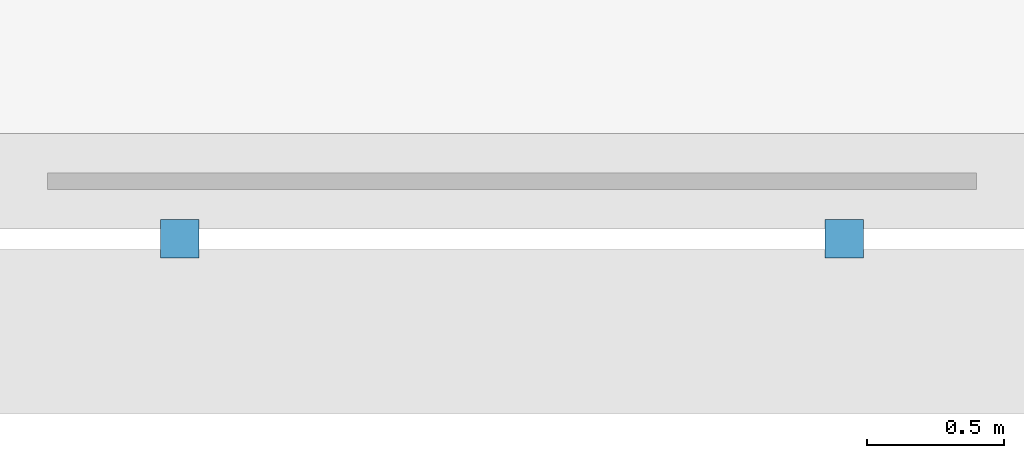
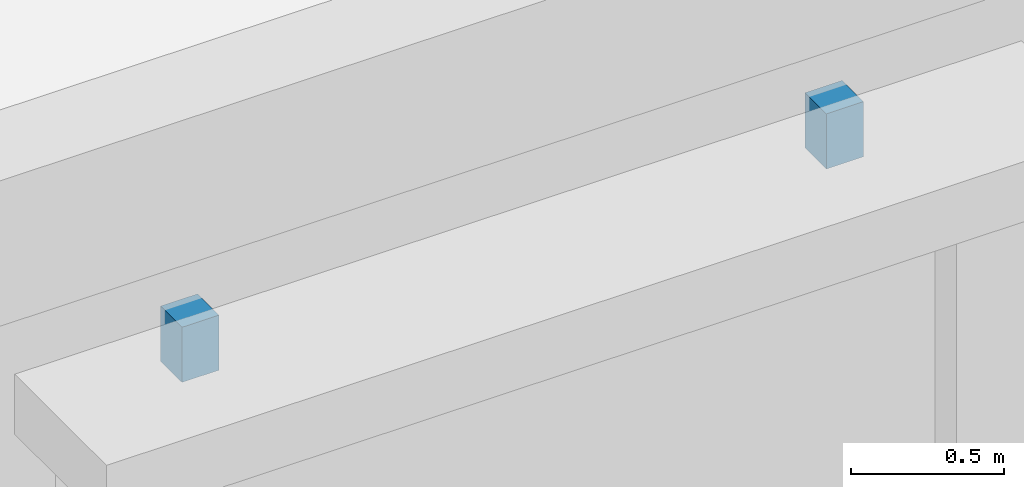
# One storey, part 22 of 25: 2 discrete accessories.
"""IFC4 building model written with IfcOpenShell, lengths in metres."""

from ifc_helpers import new_model, si_unit, direction, frame, origin, origin_2d, place, context, subcontext, project, spatial, rectangle, extrude, material, type_object, element, save


model = new_model("IFC4")

# Units and contexts
model_context = context("Model", 3, precision=1e-05, world=origin(), true_north=direction((0.0, 1.0)))
body_context = subcontext(model_context, "Body", "Model", "MODEL_VIEW")
ifc_project = project(units=[si_unit("LENGTHUNIT", "METRE"), si_unit("AREAUNIT", "SQUARE_METRE"), si_unit("VOLUMEUNIT", "CUBIC_METRE"), si_unit("PLANEANGLEUNIT", "RADIAN"), si_unit("MASSUNIT", "GRAM", prefix="KILO")], contexts=[model_context])

# Site, building, storey
site_placement = place(None, origin())
site = spatial("IfcSite", under=ifc_project, at=site_placement, CompositionType="ELEMENT")
building_placement = place(site_placement, origin())
building = spatial("IfcBuilding", under=site, at=building_placement, Name="Cendaluz Park School", CompositionType="ELEMENT")
storey_placement = place(building_placement, frame((0.0, 0.0, 18.60009765625)))
storey = spatial("IfcBuildingStorey", under=building, at=storey_placement, Name="L04", CompositionType="ELEMENT", Elevation=18.60009765625)

# Discrete accessories
ifc_material = material(Name="Steel S355", Category="steel")
discrete_accessory_type = type_object("IfcDiscreteAccessoryType", Name="BK-01", PredefinedType="BRACKET", material=ifc_material)
for number, where, z_axis, x_axis, name in (
    (1, (132.033935546875, 6.989990234375, 2.72998046875), (0.0, 0.0, 1.0), (1.0, 0.0, 0.0), "BK-L04-133"),
    (2, (134.466064453125, 6.989990234375, 2.72998046875), (0.0, 0.0, 1.0), (1.0, 0.0, 0.0), "BK-L04-134"),
):
    element("IfcDiscreteAccessory", number, at=place(storey_placement, frame(where, z_axis=z_axis, x_axis=x_axis)), inside=storey, type_object=discrete_accessory_type, Name=name, PredefinedType="BRACKET", context=body_context, shape_type="SweptSolid", body=[
        extrude(rectangle(XDim=0.139892578125, YDim=0.139892578125, at=origin_2d()), origin(), (0.0, 0.0, 1.0), 0.219970703125),
    ])

save(model, "model.ifc")
